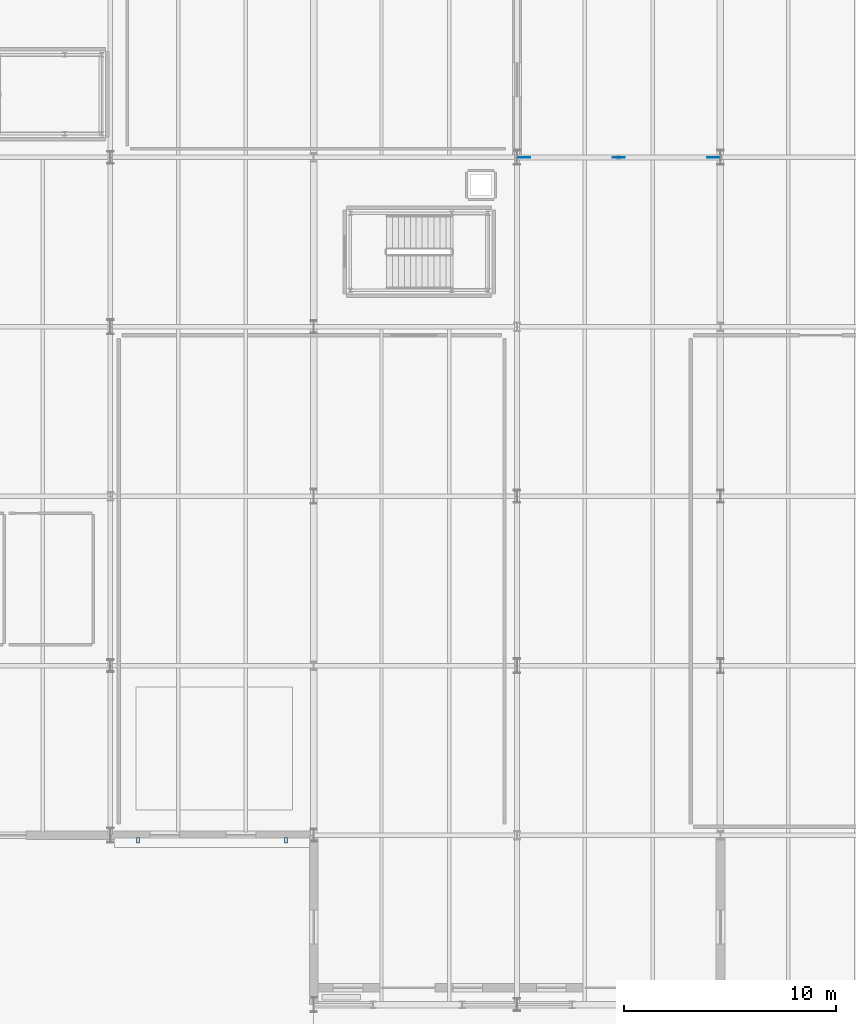
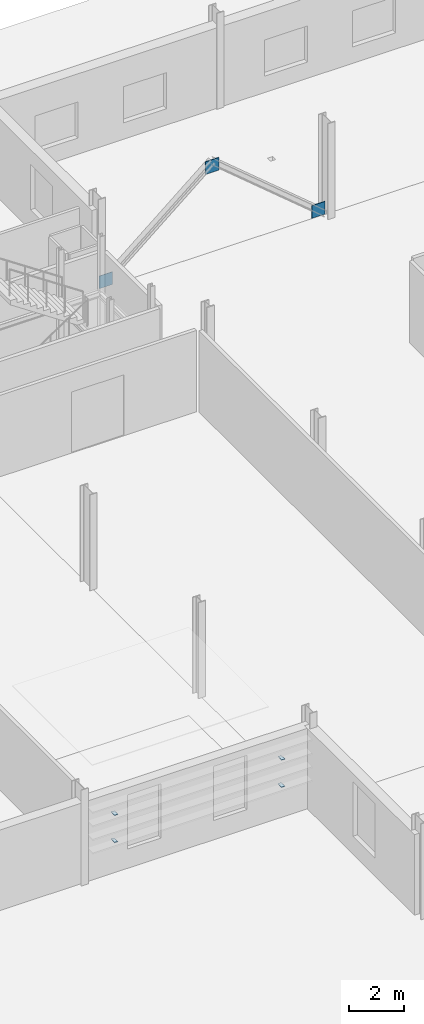
# One storey, part 53 of 78: 7 plates.
"""IFC4 building model written with IfcOpenShell, lengths in metres."""

from ifc_helpers import new_model, si_unit, direction, frame, origin, origin_2d, place, context, subcontext, project, spatial, rectangle, extrude, material, layer, layer_set, type_object, element, save


model = new_model("IFC4")

# Units and contexts
model_context = context("Model", 3, precision=1e-05, world=origin(), true_north=direction((0.0, 1.0)))
body_context = subcontext(model_context, "Body", "Model", "MODEL_VIEW")
ifc_project = project(units=[si_unit("LENGTHUNIT", "METRE"), si_unit("AREAUNIT", "SQUARE_METRE"), si_unit("VOLUMEUNIT", "CUBIC_METRE"), si_unit("PLANEANGLEUNIT", "RADIAN"), si_unit("MASSUNIT", "GRAM", prefix="KILO")], contexts=[model_context])

# Site, building, storey
site_placement = place(None, origin())
site = spatial("IfcSite", under=ifc_project, at=site_placement, CompositionType="ELEMENT")
building_placement = place(site_placement, origin())
building = spatial("IfcBuilding", under=site, at=building_placement, Name="Alderhovde Museum", CompositionType="ELEMENT")
storey_placement = place(building_placement, origin())
storey = spatial("IfcBuildingStorey", under=building, at=storey_placement, Name="L00", CompositionType="ELEMENT", Elevation=0.0)

# Plates
ifc_material_1 = material(Name="Steel S355J2", Category="steel")
ifc_layer_1 = layer(ifc_material_1, 0.02001953125)
ifc_layer_set_1 = layer_set([ifc_layer_1], Name="Steel S355J2")
plate_type_1 = type_object("IfcPlateType", Name="LV-BRACKET", PredefinedType="USERDEFINED", material=ifc_layer_set_1)
for number, where, z_axis, x_axis, name in (
    (1, (39.7041015625, 47.77001953125, 1.43994140625), (0.0, 0.0, 1.0), (1.0, 0.0, 0.0), "L00 Louvre Support Bracket 33-1"),
    (2, (46.696044921875, 47.77001953125, 1.43994140625), (0.0, 0.0, 1.0), (1.0, 0.0, 0.0), "L00 Louvre Support Bracket 33-2"),
    (3, (39.7041015625, 47.77001953125, 2.639892578125), (0.0, 0.0, 1.0), (1.0, 0.0, 0.0), "L00 Louvre Support Bracket 35-1"),
    (4, (46.696044921875, 47.77001953125, 2.639892578125), (0.0, 0.0, 1.0), (1.0, 0.0, 0.0), "L00 Louvre Support Bracket 35-2"),
):
    element("IfcPlate", number, at=place(storey_placement, frame(where, z_axis=z_axis, x_axis=x_axis)), inside=storey, type_object=plate_type_1, Name=name, ObjectType="BRACKET PLATE", PredefinedType="USERDEFINED", context=body_context, shape_type="SweptSolid", body=[
        extrude(rectangle(XDim=0.139892578125, YDim=0.260009765625, at=origin_2d()), origin(), (0.0, 0.0, 1.0), 0.02001953125),
    ])
ifc_material_2 = material(Name="Steel S355J2", Category="steel")
ifc_layer_2 = layer(ifc_material_2, 0.02197265625)
ifc_layer_set_2 = layer_set([ifc_layer_2], Name="Steel S355J2")
plate_type_2 = type_object("IfcPlateType", Name="PLT-GUSSET-22", PredefinedType="USERDEFINED", material=ifc_layer_set_2)
for number, where, z_axis, x_axis, name in (
    (5, (57.949951171875, 80.0, 0.02001953125), (0.0, 0.0, 1.0), (1.0, 0.0, 0.0), "L00 Brace End Gusset Plate BR-V1-N-BL"),
    (6, (66.85009765625, 80.0, 0.02001953125), (0.0, 0.0, 1.0), (1.0, 0.0, 0.0), "L00 Brace End Gusset Plate BR-V1-N-BR"),
    (7, (62.39990234375, 80.0, 3.52001953125), (0.0, 0.0, 1.0), (1.0, 0.0, 0.0), "L00 Brace End Gusset Plate BR-V1-N-APX"),
):
    element("IfcPlate", number, at=place(storey_placement, frame(where, z_axis=z_axis, x_axis=x_axis)), inside=storey, type_object=plate_type_2, Name=name, ObjectType="GUSSET PLATE", PredefinedType="USERDEFINED", context=body_context, shape_type="SweptSolid", body=[
        extrude(rectangle(XDim=0.56005859375, YDim=0.02197265625, at=origin_2d()), origin(), (0.0, 0.0, 1.0), 0.56005859375),
    ])

save(model, "model.ifc")
